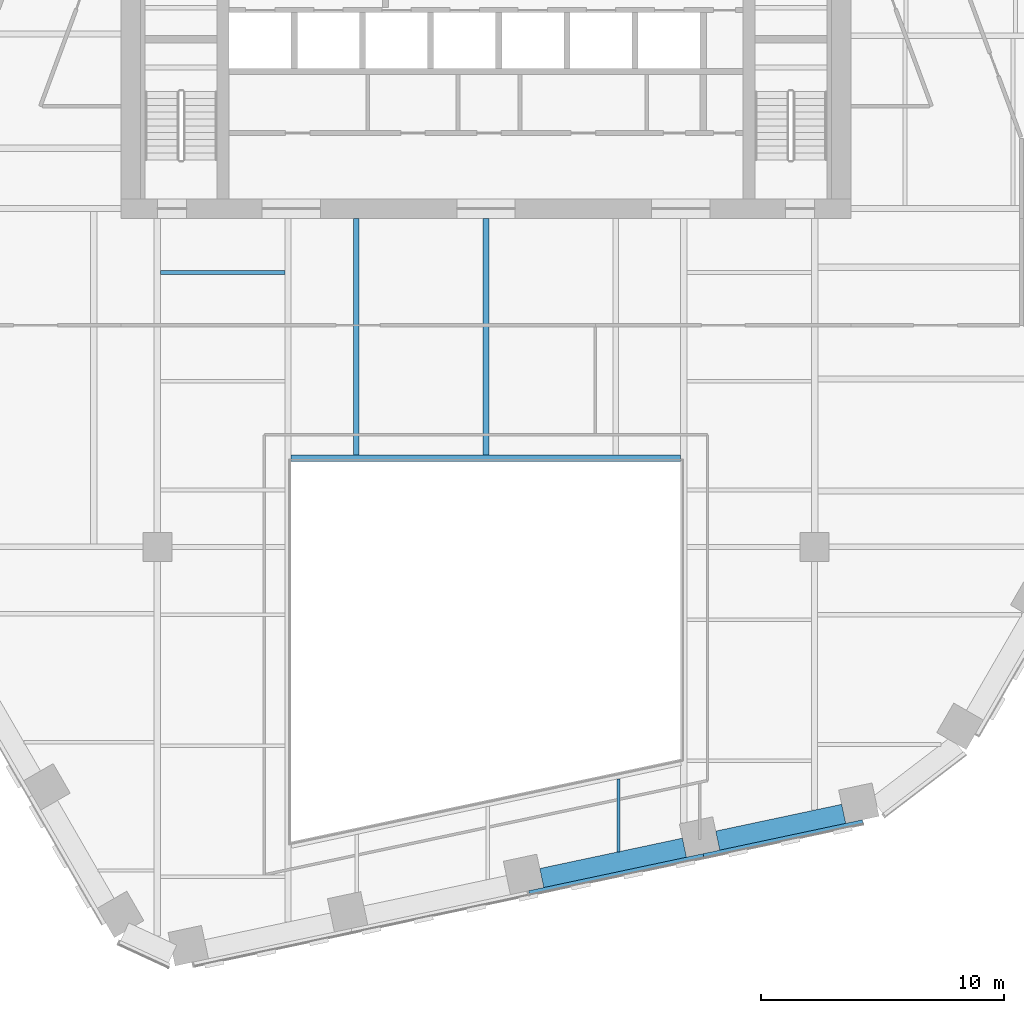
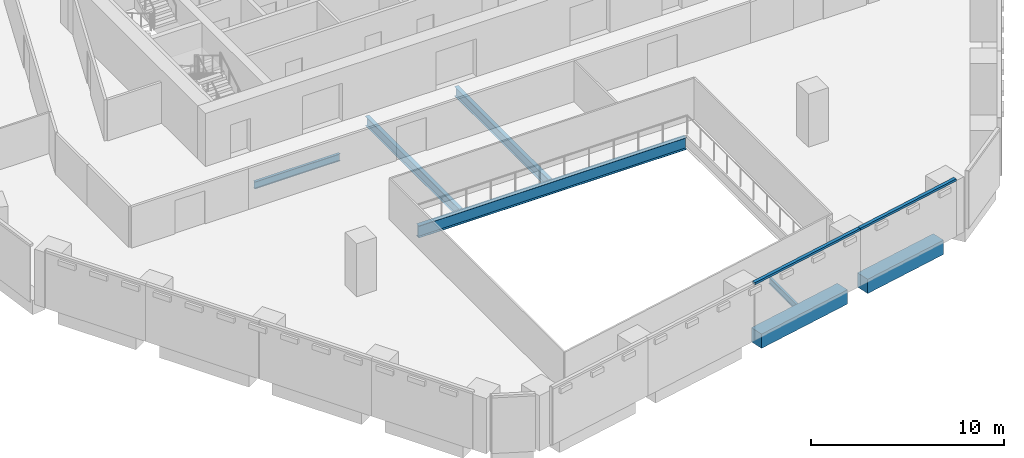
# One storey, part 4 of 17: 7 beams, 2 members, 1 element without a shape of its own.
"""IFC4 building model written with IfcOpenShell, lengths in metres."""

from ifc_helpers import new_model, si_unit, direction, frame, origin, origin_2d, place, context, subcontext, project, spatial, rectangle, i_section, extrude, material, layer, layer_set, material_profile, profile_set, type_object, element, aggregate, save


model = new_model("IFC4")

# Units and contexts
model_context = context("Model", 3, precision=1e-05, world=origin(), true_north=direction((0.0, 1.0)))
body_context = subcontext(model_context, "Body", "Model", "MODEL_VIEW")
ifc_project = project(units=[si_unit("LENGTHUNIT", "METRE"), si_unit("AREAUNIT", "SQUARE_METRE"), si_unit("VOLUMEUNIT", "CUBIC_METRE"), si_unit("PLANEANGLEUNIT", "RADIAN"), si_unit("MASSUNIT", "GRAM", prefix="KILO")], contexts=[model_context])

# Site, building, storey
site_placement = place(None, origin())
site = spatial("IfcSite", under=ifc_project, at=site_placement, CompositionType="ELEMENT")
building_placement = place(site_placement, origin())
building = spatial("IfcBuilding", under=site, at=building_placement, Name="Isthmus Gate Tower", CompositionType="ELEMENT")
storey_placement = place(building_placement, frame((0.0, 0.0, 162.64990234375)))
storey = spatial("IfcBuildingStorey", under=building, at=storey_placement, Name="L40", CompositionType="ELEMENT", Elevation=162.64990234375)

# Curtain wall, members
ifc_material_1 = material(Name="Aluminium, pale champagne anodised", Category="aluminium")
ifc_layer = layer(ifc_material_1, 0.199951171875)
ifc_layer_set = layer_set([ifc_layer], Name="CW-1 UNITISED CURTAIN WALL 200 DEEP")
curtain_wall_type = type_object("IfcCurtainWallType", Name="CW-1 UNITISED CURTAIN WALL 200 DEEP", PredefinedType="NOTDEFINED", material=ifc_layer_set)
curtain_wall_placement = place(storey_placement, origin())
curtain_wall = element("IfcCurtainWall", 1, at=curtain_wall_placement, inside=storey, type_object=curtain_wall_type, Name="CW-1 S L40", PredefinedType="NOTDEFINED")
ifc_material_2 = material(Name="Aluminium, pale champagne anodised", Category="aluminium")
ifc_material_profile_1 = material_profile(ifc_material_2, rectangle(XDim=0.199951171875, YDim=0.139892578125, at=origin_2d()), Name="200x140")
ifc_profile_set_1 = profile_set([ifc_material_profile_1], Name="Aluminium, pale champagne anodised")
member_type = type_object("IfcMemberType", Name="CW-1 TRANSOM 200 X 140", PredefinedType="USERDEFINED", material=ifc_profile_set_1)
member_1_placement = place(storey_placement, frame((1.76953125, -27.72607421875, 3.580078125), z_axis=(0.978146152746, 0.207918502948, 0.0), x_axis=(-0.207918502948, 0.978146152746, 0.0)))
member_1 = element("IfcMember", 2, at=member_1_placement, type_object=member_type, Name="CW-1 transom", ObjectType="TRANSOM", PredefinedType="USERDEFINED", context=body_context, shape_type="SweptSolid", body=[
    extrude(rectangle(XDim=0.199951171875, YDim=0.139892578125, at=origin_2d()), origin(), (0.0, 0.0, 1.0), 7.33056640625),
])
member_2_placement = place(storey_placement, frame((8.93994140625, -26.201904296875, 3.580078125), z_axis=(0.978147628551, 0.207911559946, 0.0), x_axis=(-0.207911559946, 0.978147628551, 0.0)))
member_2 = element("IfcMember", 3, at=member_2_placement, type_object=member_type, Name="CW-1 transom", ObjectType="TRANSOM", PredefinedType="USERDEFINED", context=body_context, shape_type="SweptSolid", body=[
    extrude(rectangle(XDim=0.199951171875, YDim=0.139892578125, at=origin_2d()), origin(), (0.0, 0.0, 1.0), 6.69091796875),
])
aggregate(curtain_wall, [member_1, member_2])

# Beams
ifc_material_3 = material(Name="Concrete f'c 60 MPa", Category="concrete")
ifc_material_profile_2 = material_profile(ifc_material_3, rectangle(XDim=0.800048828125, YDim=0.89990234375, at=origin_2d()), Name="RC 800X900")
ifc_profile_set_2 = profile_set([ifc_material_profile_2], Name="Concrete f'c 60 MPa")
beam_type_1 = type_object("IfcBeamType", Name="RC SPANDREL 800 X 900", PredefinedType="SPANDREL", material=ifc_profile_set_2)
beam_1_placement = place(storey_placement, frame((14.696044921875, -24.46728515625, -0.449951171875), z_axis=(-0.978145479826, -0.207921668653, 0.0), x_axis=(0.207921668653, -0.978145479826, 0.0)))
element("IfcBeam", 4, at=beam_1_placement, inside=storey, type_object=beam_type_1, Name="str-spandrel-L40-11", PredefinedType="SPANDREL", context=body_context, shape_type="SweptSolid", body=[
    extrude(rectangle(XDim=0.800048828125, YDim=0.89990234375, at=origin_2d()), origin(), (0.0, 0.0, 1.0), 5.291015625),
])
beam_2_placement = place(storey_placement, frame((8.1513671875, -25.8583984375, -0.449951171875), z_axis=(-0.978145798872, -0.20792016773, 0.0), x_axis=(0.20792016773, -0.978145798872, 0.0)))
element("IfcBeam", 5, at=beam_2_placement, inside=storey, type_object=beam_type_1, Name="str-spandrel-L40-12", PredefinedType="SPANDREL", context=body_context, shape_type="SweptSolid", body=[
    extrude(rectangle(XDim=0.800048828125, YDim=0.89990234375, at=origin_2d()), origin(), (0.0, 0.0, 1.0), 5.99072265625),
])
ifc_material_4 = material(Name="Structural steel ASTM A992 Gr 50", Category="steel")
ifc_material_profile_3 = material_profile(ifc_material_4, i_section(OverallWidth=0.1396484375, OverallDepth=0.4033203125, WebThickness=0.00634765625, FlangeThickness=0.010986328125, at=origin_2d()), Name="W16X31")
ifc_profile_set_3 = profile_set([ifc_material_profile_3], Name="Structural steel ASTM A992 Gr 50")
beam_type_2 = type_object("IfcBeamType", Name="STEEL FLOOR BEAM W16X31", PredefinedType="JOIST", material=ifc_profile_set_3)
beam_3_placement = place(storey_placement, frame((5.443115234375, -26.025146484375, -0.3515625), z_axis=(0.0, 1.0, 0.0), x_axis=(-1.0, 0.0, 0.0)))
element("IfcBeam", 6, at=beam_3_placement, inside=storey, type_object=beam_type_2, Name="str-beam-L40-07-02", PredefinedType="JOIST", context=body_context, shape_type="SweptSolid", body=[
    extrude(i_section(OverallWidth=0.1396484375, OverallDepth=0.4033203125, WebThickness=0.00634765625, FlangeThickness=0.010986328125, at=origin_2d()), origin(), (0.0, 0.0, 1.0), 2.998779296875),
])
ifc_material_5 = material(Name="Structural steel ASTM A992 Gr 50", Category="steel")
ifc_material_profile_4 = material_profile(ifc_material_5, i_section(OverallWidth=0.15234375, OverallDepth=0.45068359375, WebThickness=0.0078125, FlangeThickness=0.010986328125, at=origin_2d()), Name="W18X35")
ifc_profile_set_4 = profile_set([ifc_material_profile_4], Name="Structural steel ASTM A992 Gr 50")
beam_type_3 = type_object("IfcBeamType", Name="STEEL FLOOR BEAM W18X35", PredefinedType="JOIST", material=ifc_profile_set_4)
beam_4_placement = place(storey_placement, frame((-13.3681640625, -2.232421875, -0.375244140625), z_axis=(1.0, 0.0, 0.0), x_axis=(0.0, 1.0, 0.0)))
element("IfcBeam", 7, at=beam_4_placement, inside=storey, type_object=beam_type_3, Name="str-beam-L40-04-02", PredefinedType="JOIST", context=body_context, shape_type="SweptSolid", body=[
    extrude(i_section(OverallWidth=0.15234375, OverallDepth=0.45068359375, WebThickness=0.0078125, FlangeThickness=0.010986328125, at=origin_2d()), origin(), (0.0, 0.0, 1.0), 5.1015625),
])
ifc_material_6 = material(Name="Structural steel ASTM A992 Gr 50", Category="steel")
ifc_material_profile_5 = material_profile(ifc_material_6, i_section(OverallWidth=0.228515625, OverallDepth=0.603271484375, WebThickness=0.010986328125, FlangeThickness=0.014404296875, at=origin_2d()), Name="W24X68")
ifc_profile_set_5 = profile_set([ifc_material_profile_5], Name="Structural steel ASTM A992 Gr 50")
beam_type_4 = type_object("IfcBeamType", Name="STEEL FLOOR BEAM W24X68", PredefinedType="JOIST", material=ifc_profile_set_5)
for number, where, z_axis, x_axis, name in (
    (8, (-5.333251953125, -9.7333984375, -0.451416015625), (0.0, 1.0, 0.0), (-1.0, 0.0, 0.0), "str-beam-L40-06-00"),
    (9, (0.0, -9.7333984375, -0.451416015625), (0.0, 1.0, 0.0), (-1.0, 0.0, 0.0), "str-beam-L40-06-01"),
):
    element("IfcBeam", number, at=place(storey_placement, frame(where, z_axis=z_axis, x_axis=x_axis)), inside=storey, type_object=beam_type_4, Name=name, PredefinedType="JOIST", context=body_context, shape_type="SweptSolid", body=[
        extrude(i_section(OverallWidth=0.228515625, OverallDepth=0.603271484375, WebThickness=0.010986328125, FlangeThickness=0.014404296875, at=origin_2d()), origin(), (0.0, 0.0, 1.0), 9.7333984375),
    ])
ifc_material_7 = material(Name="Structural steel ASTM A992 Gr 50", Category="steel")
ifc_material_profile_6 = material_profile(ifc_material_7, i_section(OverallWidth=0.2666015625, OverallDepth=0.7587890625, WebThickness=0.014404296875, FlangeThickness=0.01904296875, at=origin_2d()), Name="W30X108")
ifc_profile_set_6 = profile_set([ifc_material_profile_6], Name="Structural steel ASTM A992 Gr 50")
beam_type_5 = type_object("IfcBeamType", Name="STEEL TRIMMER W30X108", PredefinedType="BEAM", material=ifc_profile_set_6)
beam_5_placement = place(storey_placement, frame((8.0, -9.86669921875, -0.529296875), z_axis=(-1.0, 0.0, 0.0), x_axis=(0.0, -1.0, 0.0)))
element("IfcBeam", 10, at=beam_5_placement, inside=storey, type_object=beam_type_5, Name="str-trimmer-L40-04", PredefinedType="BEAM", context=body_context, shape_type="SweptSolid", body=[
    extrude(i_section(OverallWidth=0.2666015625, OverallDepth=0.7587890625, WebThickness=0.014404296875, FlangeThickness=0.01904296875, at=origin_2d()), origin(), (0.0, 0.0, 1.0), 16.0),
])

save(model, "model.ifc")
